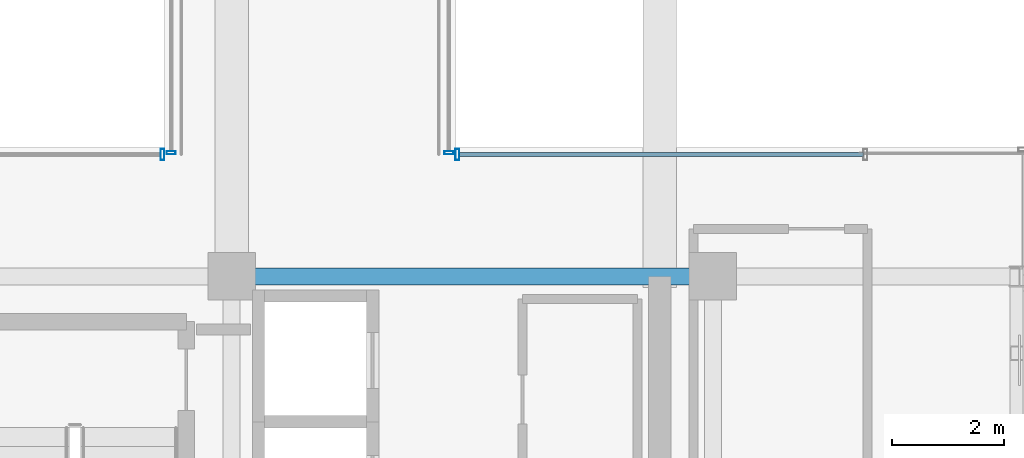
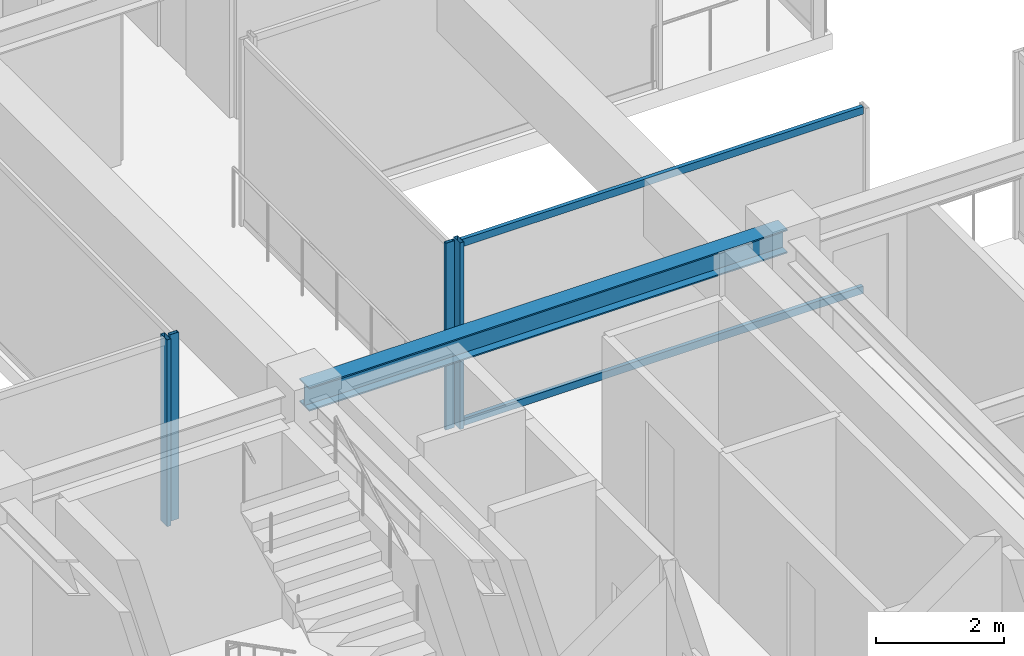
# One storey, part 17 of 37: 6 members, 1 beam, 4 elements without a shape of their own.
"""IFC4 building model written with IfcOpenShell, lengths in metres."""

from ifc_helpers import new_model, si_unit, direction, frame, origin, origin_2d, place, context, subcontext, project, spatial, hollow_rectangle, i_section, extrude, source, transform, mapped, material, material_profile, profile_set, type_object, element, aggregate, save


model = new_model("IFC4")

# Units and contexts
model_context = context("Model", 3, precision=1e-05, world=origin(), true_north=direction((0.0, 1.0)))
body_context = subcontext(model_context, "Body", "Model", "MODEL_VIEW")
ifc_project = project(units=[si_unit("LENGTHUNIT", "METRE"), si_unit("AREAUNIT", "SQUARE_METRE"), si_unit("VOLUMEUNIT", "CUBIC_METRE"), si_unit("PLANEANGLEUNIT", "RADIAN"), si_unit("MASSUNIT", "GRAM", prefix="KILO")], contexts=[model_context])

# Site, building, storey
site_placement = place(None, origin())
site = spatial("IfcSite", under=ifc_project, at=site_placement, CompositionType="ELEMENT")
building_placement = place(site_placement, origin())
building = spatial("IfcBuilding", under=site, at=building_placement, Name="Nahalor Promenade Grand Hotel", CompositionType="ELEMENT")
storey_placement = place(building_placement, frame((0.0, 0.0, 292.64990234375)))
storey = spatial("IfcBuildingStorey", under=building, at=storey_placement, Name="L75", CompositionType="ELEMENT", Elevation=292.64990234375)

# Beam
ifc_material_1 = material(Name="Steel S355JR", Category="steel")
ifc_material_profile_1 = material_profile(ifc_material_1, i_section(OverallWidth=0.3, OverallDepth=0.45, WebThickness=0.014, FlangeThickness=0.026, at=origin_2d()), Name="HEB 450")
ifc_profile_set_1 = profile_set([ifc_material_profile_1], Name="Steel S355JR")
beam_type = type_object("IfcBeamType", Name="Beam-Girder-HEB450", PredefinedType="BEAM", material=ifc_profile_set_1)
shared_shape_1 = source(origin(), body_context, "Body", "SweptSolid", [
    extrude(i_section(OverallWidth=0.3, OverallDepth=0.45, WebThickness=0.014, FlangeThickness=0.026, at=origin_2d()), origin(), (0.0, 0.0, 1.0), 8.60009765625),
])
beam_placement = place(storey_placement, frame((8.39990234375, -5.39990234375, 3.3251953125), z_axis=(1.0, 0.0, 0.0), x_axis=(0.0, 1.0, 0.0)))
element("IfcBeam", 1, at=beam_placement, inside=storey, type_object=beam_type, Name="BM-L75-GX-1-5", PredefinedType="BEAM", context=body_context, shape_type="MappedRepresentation", body=[
    mapped(shared_shape_1, transform((0.0, 0.0, 0.0), scale=1.0)),
])

# Curtain wall, members
ifc_material_2 = material(Name="Anodised Bronze Aluminium EN AW-6063 T6", Category="aluminium")
curtain_wall_type_1 = type_object("IfcCurtainWallType", Name="CW3 Elliptical-Void Collar Unitised Curtain Wall", PredefinedType="USERDEFINED", material=ifc_material_2)
curtain_wall_1_placement = place(storey_placement, origin())
curtain_wall_1 = element("IfcCurtainWall", 2, at=curtain_wall_1_placement, inside=storey, type_object=curtain_wall_type_1, Name="L75 Curtain Wall CW-L75-VOID-ES1", ObjectType="UNITISED_CURTAIN_WALL", PredefinedType="USERDEFINED")
ifc_material_profile_2 = material_profile(ifc_material_2, hollow_rectangle(XDim=0.07, YDim=0.14, WallThickness=0.004, at=origin_2d()), Name="CWT 70x140x4")
ifc_profile_set_2 = profile_set([ifc_material_profile_2], Name="Anodised Bronze Aluminium EN AW-6063 T6")
member_type_1 = type_object("IfcMemberType", Name="CWT3 Void Collar Transom 70x140", PredefinedType="USERDEFINED", material=ifc_profile_set_2)
shared_shape_2 = source(origin(), body_context, "Body", "SweptSolid", [
    extrude(hollow_rectangle(XDim=0.07, YDim=0.14, WallThickness=0.004, at=origin_2d()), origin(), (0.0, 0.0, 1.0), 7.219970703125),
])
member_1_placement = place(storey_placement, frame((12.469970703125, -3.219970703125, 0.070068359375), z_axis=(1.0, 0.0, 0.0), x_axis=(0.0, 1.0, 0.0)))
member_1 = element("IfcMember", 3, at=member_1_placement, type_object=member_type_1, Name="CW-L75-VOID-ES1 Transom 0-0", ObjectType="TRANSOM", PredefinedType="USERDEFINED", context=body_context, shape_type="MappedRepresentation", body=[
    mapped(shared_shape_2, transform((0.0, 0.0, 0.0), scale=1.0)),
])
member_2_placement = place(storey_placement, frame((12.469970703125, -3.219970703125, 3.47998046875), z_axis=(1.0, 0.0, 0.0), x_axis=(0.0, 1.0, 0.0)))
member_2 = element("IfcMember", 4, at=member_2_placement, type_object=member_type_1, Name="CW-L75-VOID-ES1 Transom 0-1", ObjectType="TRANSOM", PredefinedType="USERDEFINED", context=body_context, shape_type="MappedRepresentation", body=[
    mapped(shared_shape_2, transform((0.0, 0.0, 0.0), scale=1.0)),
])

# Curtain wall, member
curtain_wall_2_placement = place(storey_placement, origin())
curtain_wall_2 = element("IfcCurtainWall", 5, at=curtain_wall_2_placement, inside=storey, type_object=curtain_wall_type_1, Name="L75 Curtain Wall CW-L75-VOID-WS1", ObjectType="UNITISED_CURTAIN_WALL", PredefinedType="USERDEFINED")
ifc_material_profile_3 = material_profile(ifc_material_2, hollow_rectangle(XDim=0.07, YDim=0.2, WallThickness=0.005, at=origin_2d()), Name="CWM 70x200x5")
ifc_profile_set_3 = profile_set([ifc_material_profile_3], Name="Anodised Bronze Aluminium EN AW-6063 T6")
member_type_2 = type_object("IfcMemberType", Name="CWM3 Void Collar Mullion 70x200", PredefinedType="MULLION", material=ifc_profile_set_3)
shared_shape_3 = source(origin(), body_context, "Body", "SweptSolid", [
    extrude(hollow_rectangle(XDim=0.07, YDim=0.2, WallThickness=0.005, at=origin_2d()), origin(), (0.0, 0.0, 1.0), 3.550048828125),
])
member_3_placement = place(storey_placement, frame((7.1650390625, -3.219970703125, 0.0), z_axis=(0.0, 0.0, 1.0), x_axis=(1.0, 0.0, 0.0)))
member_3 = element("IfcMember", 6, at=member_3_placement, type_object=member_type_2, Name="CW-L75-VOID-WS1 Mullion 3", PredefinedType="MULLION", context=body_context, shape_type="MappedRepresentation", body=[
    mapped(shared_shape_3, transform((0.0, 0.0, 0.0), scale=1.0)),
])
aggregate(curtain_wall_2, [member_3])

# Member
member_4_placement = place(storey_placement, frame((12.43505859375, -3.219970703125, 0.0), z_axis=(0.0, 0.0, 1.0), x_axis=(1.0, 0.0, 0.0)))
member_4 = element("IfcMember", 7, at=member_4_placement, type_object=member_type_2, Name="CW-L75-VOID-ES1 Mullion 0", PredefinedType="MULLION", context=body_context, shape_type="MappedRepresentation", body=[
    mapped(shared_shape_3, transform((0.0, 0.0, 0.0), scale=1.0)),
])

aggregate(curtain_wall_1, [member_4, member_1, member_2])

# Curtain wall, member
curtain_wall_type_2 = type_object("IfcCurtainWallType", Name="CW4 Low-Iron Sky-Gallery Bridge Curtain Wall", PredefinedType="USERDEFINED", material=ifc_material_2)
curtain_wall_3_placement = place(storey_placement, origin())
curtain_wall_3 = element("IfcCurtainWall", 8, at=curtain_wall_3_placement, inside=storey, type_object=curtain_wall_type_2, Name="L75 Curtain Wall CW-L75-BRG-W", ObjectType="UNITISED_CURTAIN_WALL", PredefinedType="USERDEFINED")
ifc_material_profile_4 = material_profile(ifc_material_2, hollow_rectangle(XDim=0.06, YDim=0.16, WallThickness=0.004, at=origin_2d()), Name="CWM 60x160x4")
ifc_profile_set_4 = profile_set([ifc_material_profile_4], Name="Anodised Bronze Aluminium EN AW-6063 T6")
member_type_3 = type_object("IfcMemberType", Name="CWM4 Sky-Gallery Slim Mullion 60x160", PredefinedType="MULLION", material=ifc_profile_set_4)
shared_shape_4 = source(origin(), body_context, "Body", "SweptSolid", [
    extrude(hollow_rectangle(XDim=0.06, YDim=0.16, WallThickness=0.004, at=origin_2d()), origin(), (0.0, 0.0, 1.0), 3.550048828125),
])
member_5_placement = place(storey_placement, frame((7.320068359375, -3.18994140625, 0.0), z_axis=(0.0, 0.0, 1.0), x_axis=(0.0, 1.0, 0.0)))
member_5 = element("IfcMember", 9, at=member_5_placement, type_object=member_type_3, Name="CW-L75-BRG-W Mullion 0", PredefinedType="MULLION", context=body_context, shape_type="MappedRepresentation", body=[
    mapped(shared_shape_4, transform((0.0, 0.0, 0.0), scale=1.0)),
])
aggregate(curtain_wall_3, [member_5])

curtain_wall_4_placement = place(storey_placement, origin())
curtain_wall_4 = element("IfcCurtainWall", 10, at=curtain_wall_4_placement, inside=storey, type_object=curtain_wall_type_2, Name="L75 Curtain Wall CW-L75-BRG-E", ObjectType="UNITISED_CURTAIN_WALL", PredefinedType="USERDEFINED")
member_6_placement = place(storey_placement, frame((12.280029296875, -3.18994140625, 0.0), z_axis=(0.0, 0.0, 1.0), x_axis=(0.0, 1.0, 0.0)))
member_6 = element("IfcMember", 11, at=member_6_placement, type_object=member_type_3, Name="CW-L75-BRG-E Mullion 0", PredefinedType="MULLION", context=body_context, shape_type="MappedRepresentation", body=[
    mapped(shared_shape_4, transform((0.0, 0.0, 0.0), scale=1.0)),
])
aggregate(curtain_wall_4, [member_6])

save(model, "model.ifc")
